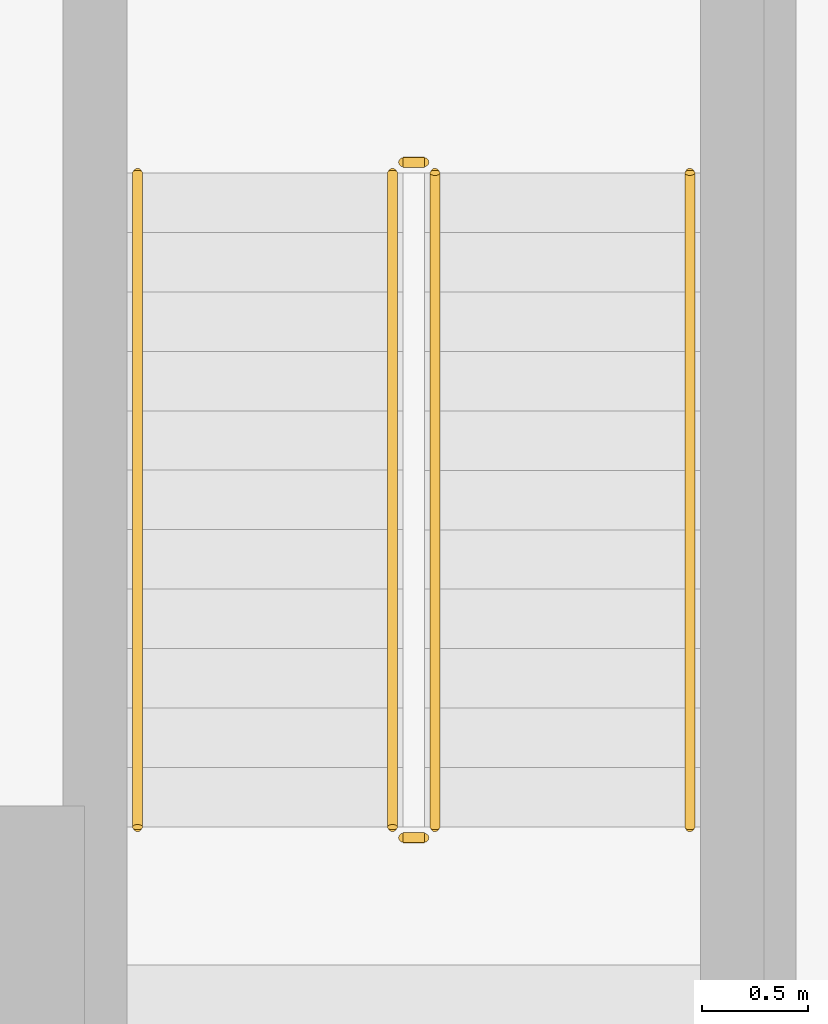
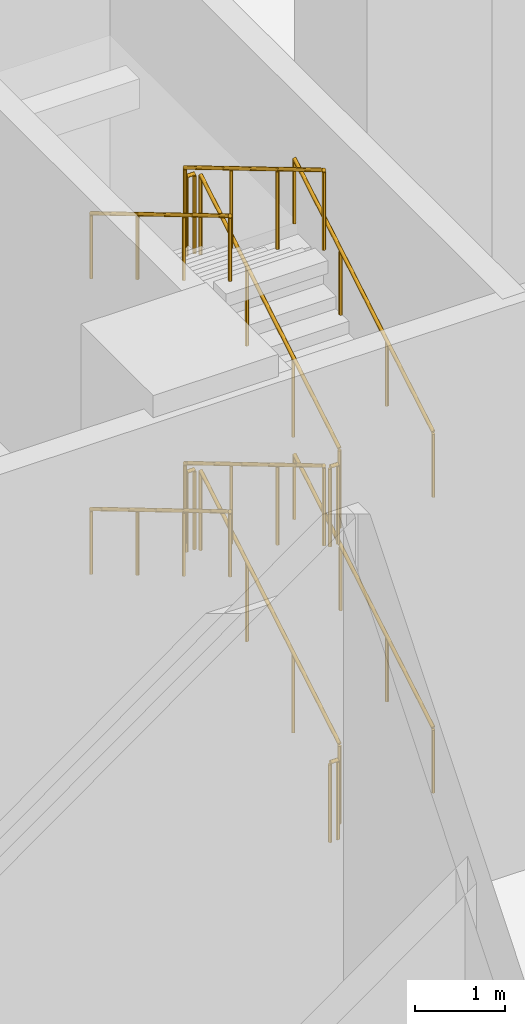
# One storey, part 52 of 54: 12 railings.
"""IFC4 building model written with IfcOpenShell, lengths in metres."""

import ifcopenshell
import ifcopenshell.guid

model = None  # the IFC model being written
_history = None  # IfcOwnerHistory: only IFC2X3 demands one
_inside = {}  # id of a spatial element -> (the spatial element, [elements in it])
_under = {}  # id of a project, library or spatial element -> (it, [spatial elements below it])
_declared = {}  # id of a project -> (the project, [libraries it declares])
_typed = {}  # id of a type object -> (the type object, [elements of that type])
_made_of = {}  # id of a material, layer set ... -> (it, [elements and type objects made of it])


def new_model(schema):
    """Start an empty IFC model of exactly this schema.

    Asked for "IFC4X3", IfcOpenShell would pick the latest addendum, in which some entities
    have other attributes; the version numbers below select the first issue.
    IFC2X3 requires an IfcOwnerHistory on every rooted entity: one is made here for all.
    """
    global model, _history
    if schema == "IFC4X3":
        model = ifcopenshell.file(schema_version=(4, 3, 0, 0))
    else:
        model = ifcopenshell.file(schema=schema)
    _inside.clear()
    _under.clear()
    _declared.clear()
    _typed.clear()
    _made_of.clear()
    _history = None
    if model.schema == "IFC2X3":
        org = make("IfcOrganization", Name="unknown")
        user = make(
            "IfcPersonAndOrganization",
            ThePerson=make("IfcPerson", FamilyName="unknown"),
            TheOrganization=org,
        )
        app = make(
            "IfcApplication",
            ApplicationDeveloper=org,
            Version="unknown",
            ApplicationFullName="unknown",
            ApplicationIdentifier="unknown",
        )
        _history = make(
            "IfcOwnerHistory",
            OwningUser=user,
            OwningApplication=app,
            ChangeAction="ADDED",
            CreationDate=0,
        )
    return model


def make(cls, **values):
    """One entity of the class cls with the attributes given. An attribute that is None is left unset."""
    return model.create_entity(
        cls, **{name: value for name, value in values.items() if value is not None}
    )


def rooted(cls, **values):
    """An entity with a GlobalId (a new one), such as an element, a storey or a relation."""
    return make(cls, GlobalId=ifcopenshell.guid.new(), OwnerHistory=_history, **values)


def si_unit(unit_type, name, prefix=None):
    """IfcSIUnit, for example si_unit("LENGTHUNIT", "METRE", prefix="MILLI")."""
    return make("IfcSIUnit", UnitType=unit_type, Prefix=prefix, Name=name)


def assignment(units):
    """IfcUnitAssignment: the units of a project."""
    return None if units is None else make("IfcUnitAssignment", Units=units)


def point(xyz):
    """IfcCartesianPoint."""
    return None if xyz is None else make("IfcCartesianPoint", Coordinates=xyz)


def direction(xyz):
    """IfcDirection."""
    return None if xyz is None else make("IfcDirection", DirectionRatios=xyz)


def frame(location, z_axis=None, x_axis=None):
    """IfcAxis2Placement3D, a coordinate frame: its origin and axes. An axis left out is left unset."""
    return make(
        "IfcAxis2Placement3D",
        Location=point(location),
        Axis=direction(z_axis),
        RefDirection=direction(x_axis),
    )


def frame_2d(location, x_axis=None):
    """IfcAxis2Placement2D, a coordinate frame in the plane: its origin and x axis."""
    return make(
        "IfcAxis2Placement2D", Location=point(location), RefDirection=direction(x_axis)
    )


def origin():
    """The frame at (0, 0, 0) with its axes left unset."""
    return frame((0.0, 0.0, 0.0))


def origin_2d():
    """The frame at (0, 0) in the plane with its x axis left unset."""
    return frame_2d((0.0, 0.0))


def place(relative_to, where):
    """IfcLocalPlacement: puts the frame where relative to a parent placement (None: the world)."""
    return make(
        "IfcLocalPlacement", PlacementRelTo=relative_to, RelativePlacement=where
    )


def context(
    kind, dimensions, precision=None, world=None, true_north=None, identifier=None
):
    """IfcGeometricRepresentationContext, for example the 3D "Model" context."""
    return make(
        "IfcGeometricRepresentationContext",
        ContextIdentifier=identifier,
        ContextType=kind,
        CoordinateSpaceDimension=dimensions,
        Precision=precision,
        WorldCoordinateSystem=world,
        TrueNorth=true_north,
    )


def subcontext(parent, identifier, kind, view, scale=None):
    """IfcGeometricRepresentationSubContext, for example "Body" below "Model"."""
    return make(
        "IfcGeometricRepresentationSubContext",
        ContextIdentifier=identifier,
        ContextType=kind,
        ParentContext=parent,
        TargetScale=scale,
        TargetView=view,
    )


def project(units=None, contexts=None):
    """IfcProject with its units and contexts."""
    return rooted(
        "IfcProject",
        Name="project",
        RepresentationContexts=contexts,
        UnitsInContext=assignment(units),
    )


def spatial(cls, under=None, at=None, **own):
    """A site, building, storey or space (cls), placed at a placement, below another one or the project."""
    s = rooted(cls, ObjectPlacement=at, **own)
    if under is not None:
        _under.setdefault(under.id(), (under, []))[1].append(s)
    return s


def profile(cls, at=None, kind="AREA", **sizes):
    """A parametric profile (cls). Its sizes go by their IFC names, for example OverallWidth=200.0."""
    return make(cls, ProfileType=kind, Position=at, **sizes)


def circle(**sizes):
    """IfcCircleProfileDef."""
    return profile("IfcCircleProfileDef", **sizes)


def extrude(swept, where, along, depth):
    """IfcExtrudedAreaSolid: the profile swept, set in the frame where, extruded along a direction by depth."""
    return make(
        "IfcExtrudedAreaSolid",
        SweptArea=swept,
        Position=where,
        ExtrudedDirection=direction(along),
        Depth=depth,
    )


def shape(context_of_items, identifier, shape_type, items):
    """IfcShapeRepresentation: the items that make up one representation, for example the "Body"."""
    return make(
        "IfcShapeRepresentation",
        ContextOfItems=context_of_items,
        RepresentationIdentifier=identifier,
        RepresentationType=shape_type,
        Items=items,
    )


def material(Name=None, Category=None):
    """IfcMaterial."""
    return make("IfcMaterial", Name=Name, Category=Category)


def made_of(thing, what):
    """Note that an element or type object is made of a material, layer set ...; save() writes the relation."""
    if what is not None:
        _made_of.setdefault(what.id(), (what, []))[1].append(thing)
    return thing


def type_object(cls, material=None, **own):
    """A type object (cls), such as IfcWallType, which elements share."""
    return made_of(rooted(cls, **own), material)


def element(
    cls,
    number,
    at=None,
    inside=None,
    cuts=None,
    type_object=None,
    material=None,
    context=None,
    identifier="Body",
    shape_type=None,
    held_by="IfcProductDefinitionShape",
    body=None,
    shapes=None,
    **own,
):
    """One element of the class cls, such as IfcWall. Its Tag is "e" and its number.

    at: its placement. inside: the storey or other place that contains it. cuts: it is an
    opening in that element (IfcRelVoidsElement). A single representation is given by context,
    identifier, shape_type and body (its items); several are given by shapes. held_by: the class
    of the entity that holds the representations. save() writes the other relations.
    """
    e = rooted(cls, Tag="e%d" % number, ObjectPlacement=at, **own)
    if body is not None:
        shapes = [shape(context, identifier, shape_type, body)]
    if shapes is not None:
        e.Representation = make(held_by, Representations=shapes)
    if inside is not None:
        _inside.setdefault(inside.id(), (inside, []))[1].append(e)
    if cuts is not None:
        rooted(
            "IfcRelVoidsElement", RelatingBuildingElement=cuts, RelatedOpeningElement=e
        )
    if type_object is not None:
        _typed.setdefault(type_object.id(), (type_object, []))[1].append(e)
    return made_of(e, material)


def aggregate(whole, parts):
    """IfcRelAggregates: a whole, such as a stair, and the parts it consists of."""
    return rooted("IfcRelAggregates", RelatingObject=whole, RelatedObjects=parts)


def save(model, path):
    """Write the relations noted so far, then the file.

    IfcRelAggregates (storeys below a building ...), IfcRelContainedInSpatialStructure (elements
    in a storey), IfcRelDefinesByType, IfcRelAssociatesMaterial and IfcRelDeclares: one each for
    every whole, place, type object, material and project.
    """
    for whole, parts in _under.values():
        aggregate(whole, parts)
    for where, things in _inside.values():
        rooted(
            "IfcRelContainedInSpatialStructure",
            RelatedElements=things,
            RelatingStructure=where,
        )
    for kind, things in _typed.values():
        rooted("IfcRelDefinesByType", RelatedObjects=things, RelatingType=kind)
    for what, things in _made_of.values():
        rooted("IfcRelAssociatesMaterial", RelatedObjects=things, RelatingMaterial=what)
    for by, libraries in _declared.values():
        rooted("IfcRelDeclares", RelatingContext=by, RelatedDefinitions=libraries)
    model.write(path)


model = new_model("IFC4")

# Units and contexts
model_context = context("Model", 3, precision=1e-05, world=origin(), true_north=direction((0.0, 1.0)))
body_context = subcontext(model_context, "Body", "Model", "MODEL_VIEW")
ifc_project = project(units=[si_unit("LENGTHUNIT", "METRE"), si_unit("AREAUNIT", "SQUARE_METRE"), si_unit("VOLUMEUNIT", "CUBIC_METRE"), si_unit("PLANEANGLEUNIT", "RADIAN"), si_unit("MASSUNIT", "GRAM", prefix="KILO")], contexts=[model_context])

# Site, building, storey
site_placement = place(None, origin())
site = spatial("IfcSite", under=ifc_project, at=site_placement, CompositionType="ELEMENT")
building_placement = place(site_placement, origin())
building = spatial("IfcBuilding", under=site, at=building_placement, Name="Ogive Portal Towers", CompositionType="ELEMENT")
storey_placement = place(building_placement, origin())
storey = spatial("IfcBuildingStorey", under=building, at=storey_placement, Name="L00", CompositionType="ELEMENT", Elevation=0.0)

# Railings
ifc_material_1 = material(Name="Stainless steel balustrade", Category="steel")
railing_type_1 = type_object("IfcRailingType", Name="INT-GUARD", PredefinedType="GUARDRAIL", material=ifc_material_1)
railing_1_placement = place(storey_placement, frame((42.949951171875, 67.199951171875, 0.166748046875)))
element("IfcRailing", 1, at=railing_1_placement, inside=storey, type_object=railing_type_1, Name="L00 ST-A3 stair guard 1", PredefinedType="GUARDRAIL", context=body_context, shape_type="SweptSolid", body=[
    extrude(circle(Radius=0.02392578125, at=origin_2d()), frame((0.0, 0.0, 1.076171875), z_axis=(0.0, 0.859308565015, 0.511457515432), x_axis=(-1.0, 0.0, 0.0)), (0.0, 0.0, 1.0), 3.58447265625),
    extrude(circle(Radius=0.02099609375, at=origin_2d()), origin(), (0.0, 0.0, 1.0), 1.052001953125),
    extrude(circle(Radius=0.02099609375, at=origin_2d()), frame((0.0, 1.026611328125, 0.611083984375)), (0.0, 0.0, 1.0), 1.052001953125),
    extrude(circle(Radius=0.02099609375, at=origin_2d()), frame((0.0, 2.053466796875, 1.22216796875)), (0.0, 0.0, 1.0), 1.052001953125),
    extrude(circle(Radius=0.02099609375, at=origin_2d()), frame((0.0, 3.080078125, 1.833251953125)), (0.0, 0.0, 1.0), 1.052001953125),
])
railing_2_placement = place(storey_placement, frame((42.89990234375, 70.330078125, 2.0)))
element("IfcRailing", 2, at=railing_2_placement, inside=storey, type_object=railing_type_1, Name="L00 ST-A3 stair guard 2", PredefinedType="GUARDRAIL", context=body_context, shape_type="SweptSolid", body=[
    extrude(circle(Radius=0.02392578125, at=origin_2d()), frame((0.0, 0.0, 1.076171875), z_axis=(-1.0, 0.0, 0.0), x_axis=(0.0, -1.0, 0.0)), (0.0, 0.0, 1.0), 0.099853515625),
    extrude(circle(Radius=0.02099609375, at=origin_2d()), origin(), (0.0, 0.0, 1.0), 1.052001953125),
    extrude(circle(Radius=0.02099609375, at=origin_2d()), frame((-0.099853515625, 0.0, 0.0)), (0.0, 0.0, 1.0), 1.052001953125),
])
railing_3_placement = place(storey_placement, frame((42.75, 70.280029296875, 2.166748046875)))
element("IfcRailing", 3, at=railing_3_placement, inside=storey, type_object=railing_type_1, Name="L00 ST-A3 stair guard 3", PredefinedType="GUARDRAIL", context=body_context, shape_type="SweptSolid", body=[
    extrude(circle(Radius=0.02392578125, at=origin_2d()), frame((0.0, 0.0, 1.076171875), z_axis=(0.0, -0.859308565015, 0.511457515432), x_axis=(1.0, 0.0, 0.0)), (0.0, 0.0, 1.0), 3.58447265625),
    extrude(circle(Radius=0.02099609375, at=origin_2d()), origin(), (0.0, 0.0, 1.0), 1.052001953125),
    extrude(circle(Radius=0.02099609375, at=origin_2d()), frame((0.0, -1.026611328125, 0.611083984375)), (0.0, 0.0, 1.0), 1.052001953125),
    extrude(circle(Radius=0.02099609375, at=origin_2d()), frame((0.0, -2.053466796875, 1.22216796875)), (0.0, 0.0, 1.0), 1.052001953125),
    extrude(circle(Radius=0.02099609375, at=origin_2d()), frame((0.0, -3.080078125, 1.833251953125)), (0.0, 0.0, 1.0), 1.052001953125),
])
railing_4_placement = place(storey_placement, frame((42.89990234375, 67.14990234375, 4.0)))
element("IfcRailing", 4, at=railing_4_placement, inside=storey, type_object=railing_type_1, Name="L00 ST-A3 stair guard 4", PredefinedType="GUARDRAIL", context=body_context, shape_type="SweptSolid", body=[
    extrude(circle(Radius=0.02392578125, at=origin_2d()), frame((0.0, 0.0, 1.076171875), z_axis=(-1.0, 0.0, 0.0), x_axis=(0.0, -1.0, 0.0)), (0.0, 0.0, 1.0), 0.099853515625),
    extrude(circle(Radius=0.02099609375, at=origin_2d()), origin(), (0.0, 0.0, 1.0), 1.052001953125),
    extrude(circle(Radius=0.02099609375, at=origin_2d()), frame((-0.099853515625, 0.0, 0.0)), (0.0, 0.0, 1.0), 1.052001953125),
])
railing_5_placement = place(storey_placement, frame((42.949951171875, 67.199951171875, 4.166748046875)))
element("IfcRailing", 5, at=railing_5_placement, inside=storey, type_object=railing_type_1, Name="L00 ST-A3 stair guard 5", PredefinedType="GUARDRAIL", context=body_context, shape_type="SweptSolid", body=[
    extrude(circle(Radius=0.02392578125, at=origin_2d()), frame((0.0, 0.0, 1.076171875), z_axis=(0.0, 0.859308565015, 0.511457515432), x_axis=(-1.0, 0.0, 0.0)), (0.0, 0.0, 1.0), 3.58447265625),
    extrude(circle(Radius=0.02099609375, at=origin_2d()), origin(), (0.0, 0.0, 1.0), 1.052001953125),
    extrude(circle(Radius=0.02099609375, at=origin_2d()), frame((0.0, 1.026611328125, 0.611083984375)), (0.0, 0.0, 1.0), 1.052001953125),
    extrude(circle(Radius=0.02099609375, at=origin_2d()), frame((0.0, 2.053466796875, 1.22216796875)), (0.0, 0.0, 1.0), 1.052001953125),
    extrude(circle(Radius=0.02099609375, at=origin_2d()), frame((0.0, 3.080078125, 1.833251953125)), (0.0, 0.0, 1.0), 1.052001953125),
])
railing_6_placement = place(storey_placement, frame((42.89990234375, 70.330078125, 6.0)))
element("IfcRailing", 6, at=railing_6_placement, inside=storey, type_object=railing_type_1, Name="L00 ST-A3 stair guard 6", PredefinedType="GUARDRAIL", context=body_context, shape_type="SweptSolid", body=[
    extrude(circle(Radius=0.02392578125, at=origin_2d()), frame((0.0, 0.0, 1.076171875), z_axis=(-1.0, 0.0, 0.0), x_axis=(0.0, -1.0, 0.0)), (0.0, 0.0, 1.0), 0.099853515625),
    extrude(circle(Radius=0.02099609375, at=origin_2d()), origin(), (0.0, 0.0, 1.0), 1.052001953125),
    extrude(circle(Radius=0.02099609375, at=origin_2d()), frame((-0.099853515625, 0.0, 0.0)), (0.0, 0.0, 1.0), 1.052001953125),
])
railing_7_placement = place(storey_placement, frame((42.75, 70.280029296875, 6.166748046875)))
element("IfcRailing", 7, at=railing_7_placement, inside=storey, type_object=railing_type_1, Name="L00 ST-A3 stair guard 7", PredefinedType="GUARDRAIL", context=body_context, shape_type="SweptSolid", body=[
    extrude(circle(Radius=0.02392578125, at=origin_2d()), frame((0.0, 0.0, 1.076171875), z_axis=(0.0, -0.859308565015, 0.511457515432), x_axis=(1.0, 0.0, 0.0)), (0.0, 0.0, 1.0), 3.58447265625),
    extrude(circle(Radius=0.02099609375, at=origin_2d()), origin(), (0.0, 0.0, 1.0), 1.052001953125),
    extrude(circle(Radius=0.02099609375, at=origin_2d()), frame((0.0, -1.026611328125, 0.611083984375)), (0.0, 0.0, 1.0), 1.052001953125),
    extrude(circle(Radius=0.02099609375, at=origin_2d()), frame((0.0, -2.053466796875, 1.22216796875)), (0.0, 0.0, 1.0), 1.052001953125),
    extrude(circle(Radius=0.02099609375, at=origin_2d()), frame((0.0, -3.080078125, 1.833251953125)), (0.0, 0.0, 1.0), 1.052001953125),
])
railing_8_placement = place(storey_placement, frame((42.89990234375, 67.14990234375, 0.0)))
element("IfcRailing", 8, at=railing_8_placement, inside=storey, type_object=railing_type_1, Name="L00 ST-A3 stair guard 8", PredefinedType="GUARDRAIL", context=body_context, shape_type="SweptSolid", body=[
    extrude(circle(Radius=0.02392578125, at=origin_2d()), frame((0.0, 0.0, 1.076171875), z_axis=(-1.0, 0.0, 0.0), x_axis=(0.0, -1.0, 0.0)), (0.0, 0.0, 1.0), 0.099853515625),
    extrude(circle(Radius=0.02099609375, at=origin_2d()), origin(), (0.0, 0.0, 1.0), 1.052001953125),
    extrude(circle(Radius=0.02099609375, at=origin_2d()), frame((-0.099853515625, 0.0, 0.0)), (0.0, 0.0, 1.0), 1.052001953125),
])
ifc_material_2 = material(Name="Stainless steel handrail", Category="steel")
railing_type_2 = type_object("IfcRailingType", Name="INT-HANDRAIL", PredefinedType="HANDRAIL", material=ifc_material_2)
railing_9_placement = place(storey_placement, frame((44.14990234375, 67.199951171875, 0.166748046875)))
element("IfcRailing", 9, at=railing_9_placement, inside=storey, type_object=railing_type_2, Name="L00 ST-A3 stair handrail 1", PredefinedType="HANDRAIL", context=body_context, shape_type="SweptSolid", body=[
    extrude(circle(Radius=0.02392578125, at=origin_2d()), frame((0.0, 0.0, 0.8759765625), z_axis=(0.0, 0.859308565015, 0.511457515432), x_axis=(-1.0, 0.0, 0.0)), (0.0, 0.0, 1.0), 3.58447265625),
    extrude(circle(Radius=0.02099609375, at=origin_2d()), origin(), (0.0, 0.0, 1.0), 0.851806640625),
    extrude(circle(Radius=0.02099609375, at=origin_2d()), frame((0.0, 1.026611328125, 0.611083984375)), (0.0, 0.0, 1.0), 0.851806640625),
    extrude(circle(Radius=0.02099609375, at=origin_2d()), frame((0.0, 2.053466796875, 1.22216796875)), (0.0, 0.0, 1.0), 0.851806640625),
    extrude(circle(Radius=0.02099609375, at=origin_2d()), frame((0.0, 3.080078125, 1.833251953125)), (0.0, 0.0, 1.0), 0.851806640625),
])
railing_10_placement = place(storey_placement, frame((41.550048828125, 70.280029296875, 2.166748046875)))
element("IfcRailing", 10, at=railing_10_placement, inside=storey, type_object=railing_type_2, Name="L00 ST-A3 stair handrail 2", PredefinedType="HANDRAIL", context=body_context, shape_type="SweptSolid", body=[
    extrude(circle(Radius=0.02392578125, at=origin_2d()), frame((0.0, 0.0, 0.8759765625), z_axis=(0.0, -0.859308565015, 0.511457515432), x_axis=(1.0, 0.0, 0.0)), (0.0, 0.0, 1.0), 3.58447265625),
    extrude(circle(Radius=0.02099609375, at=origin_2d()), origin(), (0.0, 0.0, 1.0), 0.851806640625),
    extrude(circle(Radius=0.02099609375, at=origin_2d()), frame((0.0, -1.026611328125, 0.611083984375)), (0.0, 0.0, 1.0), 0.851806640625),
    extrude(circle(Radius=0.02099609375, at=origin_2d()), frame((0.0, -2.053466796875, 1.22216796875)), (0.0, 0.0, 1.0), 0.851806640625),
    extrude(circle(Radius=0.02099609375, at=origin_2d()), frame((0.0, -3.080078125, 1.833251953125)), (0.0, 0.0, 1.0), 0.851806640625),
])
railing_11_placement = place(storey_placement, frame((44.14990234375, 67.199951171875, 4.166748046875)))
element("IfcRailing", 11, at=railing_11_placement, inside=storey, type_object=railing_type_2, Name="L00 ST-A3 stair handrail 3", PredefinedType="HANDRAIL", context=body_context, shape_type="SweptSolid", body=[
    extrude(circle(Radius=0.02392578125, at=origin_2d()), frame((0.0, 0.0, 0.8759765625), z_axis=(0.0, 0.859308565015, 0.511457515432), x_axis=(-1.0, 0.0, 0.0)), (0.0, 0.0, 1.0), 3.58447265625),
    extrude(circle(Radius=0.02099609375, at=origin_2d()), origin(), (0.0, 0.0, 1.0), 0.851806640625),
    extrude(circle(Radius=0.02099609375, at=origin_2d()), frame((0.0, 1.026611328125, 0.611083984375)), (0.0, 0.0, 1.0), 0.851806640625),
    extrude(circle(Radius=0.02099609375, at=origin_2d()), frame((0.0, 2.053466796875, 1.22216796875)), (0.0, 0.0, 1.0), 0.851806640625),
    extrude(circle(Radius=0.02099609375, at=origin_2d()), frame((0.0, 3.080078125, 1.833251953125)), (0.0, 0.0, 1.0), 0.851806640625),
])
railing_12_placement = place(storey_placement, frame((41.550048828125, 70.280029296875, 6.166748046875)))
element("IfcRailing", 12, at=railing_12_placement, inside=storey, type_object=railing_type_2, Name="L00 ST-A3 stair handrail 4", PredefinedType="HANDRAIL", context=body_context, shape_type="SweptSolid", body=[
    extrude(circle(Radius=0.02392578125, at=origin_2d()), frame((0.0, 0.0, 0.8759765625), z_axis=(0.0, -0.859308565015, 0.511457515432), x_axis=(1.0, 0.0, 0.0)), (0.0, 0.0, 1.0), 3.58447265625),
    extrude(circle(Radius=0.02099609375, at=origin_2d()), origin(), (0.0, 0.0, 1.0), 0.851806640625),
    extrude(circle(Radius=0.02099609375, at=origin_2d()), frame((0.0, -1.026611328125, 0.611083984375)), (0.0, 0.0, 1.0), 0.851806640625),
    extrude(circle(Radius=0.02099609375, at=origin_2d()), frame((0.0, -2.053466796875, 1.22216796875)), (0.0, 0.0, 1.0), 0.851806640625),
    extrude(circle(Radius=0.02099609375, at=origin_2d()), frame((0.0, -3.080078125, 1.833251953125)), (0.0, 0.0, 1.0), 0.851806640625),
])

save(model, "model.ifc")
